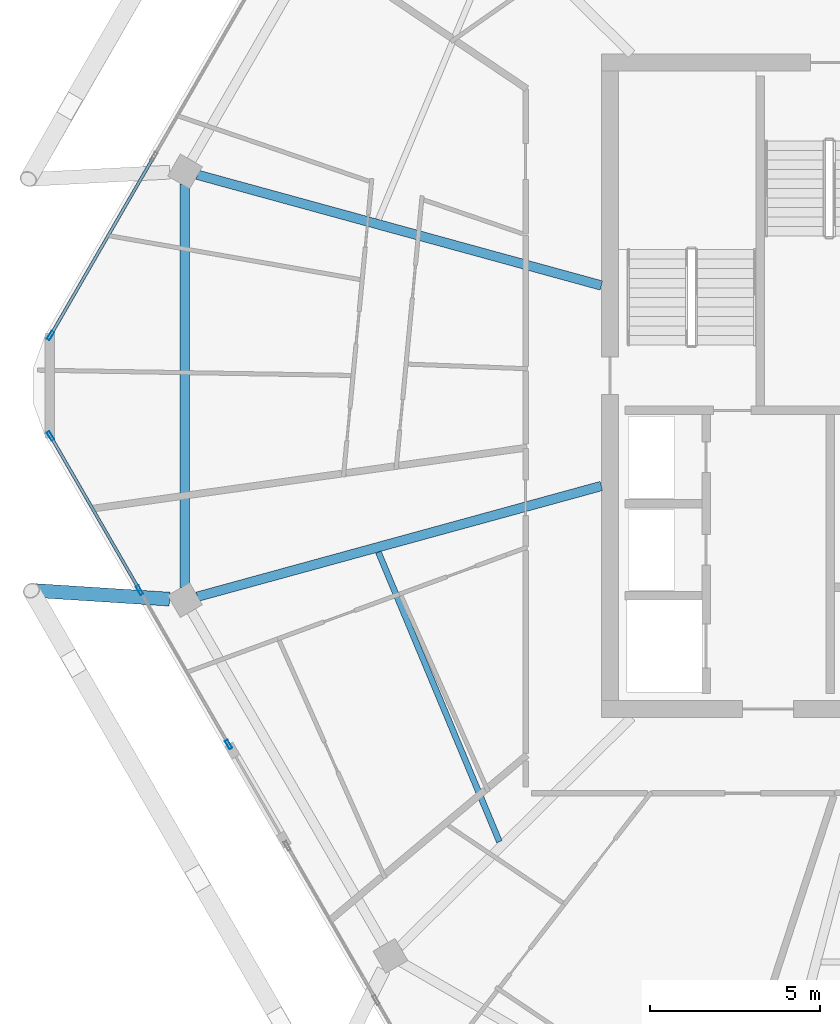
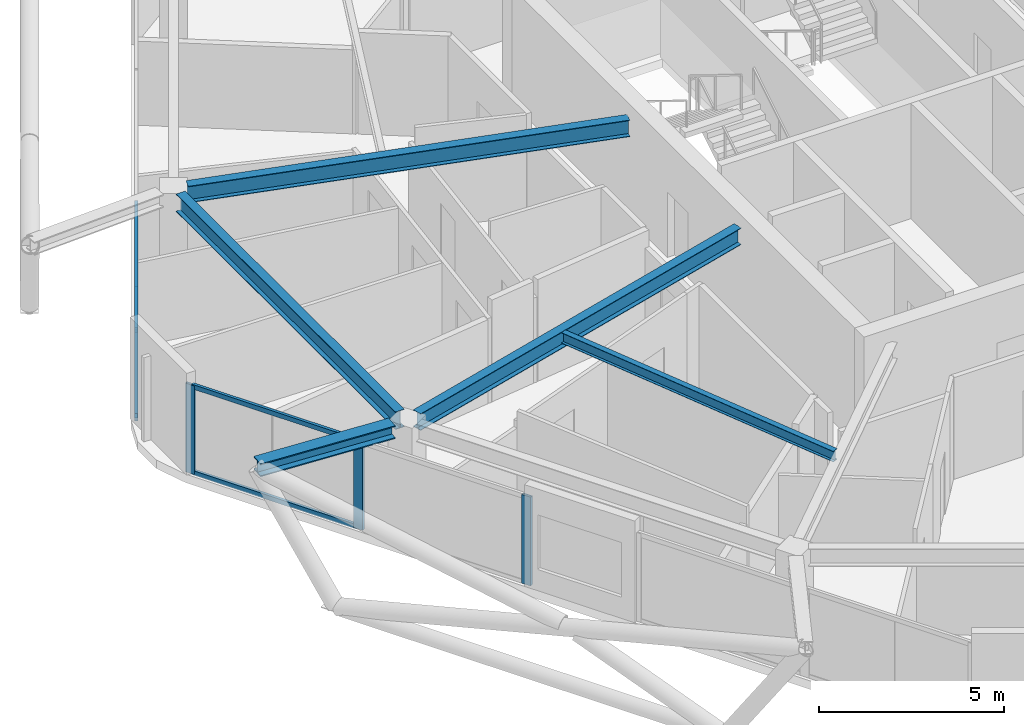
# One storey, part 6 of 23: 8 members, 5 beams, 2 elements without a shape of their own.
"""IFC4 building model written with IfcOpenShell, lengths in metres."""

from ifc_helpers import new_model, si_unit, direction, frame, origin, origin_2d, place, context, subcontext, project, spatial, hollow_rectangle, i_section, extrude, material, material_profile, profile_set, type_object, element, aggregate, save


model = new_model("IFC4")

# Units and contexts
model_context = context("Model", 3, precision=1e-05, world=origin(), true_north=direction((0.0, 1.0)))
body_context = subcontext(model_context, "Body", "Model", "MODEL_VIEW")
ifc_project = project(units=[si_unit("LENGTHUNIT", "METRE"), si_unit("AREAUNIT", "SQUARE_METRE"), si_unit("VOLUMEUNIT", "CUBIC_METRE"), si_unit("PLANEANGLEUNIT", "RADIAN"), si_unit("MASSUNIT", "GRAM", prefix="KILO")], contexts=[model_context])

# Site, building, storey
site_placement = place(None, origin())
site = spatial("IfcSite", under=ifc_project, at=site_placement, CompositionType="ELEMENT")
building_placement = place(site_placement, origin())
building = spatial("IfcBuilding", under=site, at=building_placement, Name="Zuhravey Tower", CompositionType="ELEMENT")
storey_placement = place(building_placement, frame((0.0, 0.0, 353.800048828125)))
storey = spatial("IfcBuildingStorey", under=building, at=storey_placement, Name="L90", CompositionType="ELEMENT", Elevation=353.800048828125)

# Curtain wall, members
ifc_material_1 = material(Name="Thermally broken anodised aluminium", Category="aluminium")
curtain_wall_type = type_object("IfcCurtainWallType", Name="Zone 3-4 High-Rise Curtain Wall CW4", PredefinedType="NOTDEFINED", material=ifc_material_1)
curtain_wall_1_placement = place(storey_placement, origin())
curtain_wall_1 = element("IfcCurtainWall", 1, at=curtain_wall_1_placement, inside=storey, type_object=curtain_wall_type, Name="L90 CW4 CW-L90-F4-2", PredefinedType="NOTDEFINED")
ifc_material_2 = material(Name="Anodised aluminium", Category="aluminium")
ifc_material_profile_1 = material_profile(ifc_material_2, hollow_rectangle(XDim=0.090087890625, YDim=0.284912109375, WallThickness=0.0048828125, at=origin_2d()), Name="ALU-RHS-90x285x5")
ifc_profile_set_1 = profile_set([ifc_material_profile_1], Name="Anodised aluminium")
member_type_1 = type_object("IfcMemberType", Name="Curtain-Wall Mullion 90x180", PredefinedType="MULLION", material=ifc_profile_set_1)
member_1_placement = place(storey_placement, frame((14.291259765625, 21.452392578125, 0.0), z_axis=(0.0, 0.0, 1.0), x_axis=(-0.866024486176, -0.500001589341, 0.0)))
member_1 = element("IfcMember", 2, at=member_1_placement, type_object=member_type_1, Name="CW4 mullion 1", PredefinedType="MULLION", context=body_context, shape_type="SweptSolid", body=[
    extrude(hollow_rectangle(XDim=0.090087890625, YDim=0.284912109375, WallThickness=0.0048828125, at=origin_2d()), origin(), (0.0, 0.0, 1.0), 2.921875),
])
member_2_placement = place(storey_placement, frame((11.672607421875, 25.988037109375, 0.0), z_axis=(0.0, 0.0, 1.0), x_axis=(-0.866024486176, -0.500001589341, 0.0)))
member_2 = element("IfcMember", 3, at=member_2_placement, type_object=member_type_1, Name="CW4 mullion 2", PredefinedType="MULLION", context=body_context, shape_type="SweptSolid", body=[
    extrude(hollow_rectangle(XDim=0.090087890625, YDim=0.284912109375, WallThickness=0.0048828125, at=origin_2d()), origin(), (0.0, 0.0, 1.0), 2.921875),
])
member_3_placement = place(storey_placement, frame((9.05419921875, 30.5234375, 0.0), z_axis=(0.0, 0.0, 1.0), x_axis=(-0.866024486176, -0.500001589341, 0.0)))
member_3 = element("IfcMember", 4, at=member_3_placement, type_object=member_type_1, Name="CW4 mullion 3", PredefinedType="MULLION", context=body_context, shape_type="SweptSolid", body=[
    extrude(hollow_rectangle(XDim=0.090087890625, YDim=0.284912109375, WallThickness=0.0048828125, at=origin_2d()), origin(), (0.0, 0.0, 1.0), 2.921875),
])

# Curtain wall, member
curtain_wall_2_placement = place(storey_placement, origin())
curtain_wall_2 = element("IfcCurtainWall", 5, at=curtain_wall_2_placement, inside=storey, type_object=curtain_wall_type, Name="L90 CW4 CW-L90-F3-1", PredefinedType="NOTDEFINED")
member_4_placement = place(storey_placement, frame((9.05419921875, 33.4765625, 0.0), z_axis=(0.0, 0.0, 1.0), x_axis=(-0.866025511541, 0.49999981336, 0.0)))
member_4 = element("IfcMember", 6, at=member_4_placement, type_object=member_type_1, Name="CW4 mullion 1", PredefinedType="MULLION", context=body_context, shape_type="SweptSolid", body=[
    extrude(hollow_rectangle(XDim=0.090087890625, YDim=0.284912109375, WallThickness=0.0048828125, at=origin_2d()), origin(), (0.0, 0.0, 1.0), 2.921875),
])

# Member
ifc_material_profile_2 = material_profile(ifc_material_2, hollow_rectangle(XDim=0.090087890625, YDim=0.14990234375, WallThickness=0.0048828125, at=origin_2d()), Name="ALU-RHS-90x150x5")
ifc_profile_set_2 = profile_set([ifc_material_profile_2], Name="Anodised aluminium")
member_type_2 = type_object("IfcMemberType", Name="Curtain-Wall Transom 90x150", PredefinedType="USERDEFINED", material=ifc_profile_set_2)
member_5_placement = place(storey_placement, frame((11.650146484375, 26.02685546875, 0.044921875), z_axis=(-0.499970169216, 0.86604262591, 0.0), x_axis=(-0.86604262591, -0.499970169216, 0.0)))
member_5 = element("IfcMember", 7, at=member_5_placement, type_object=member_type_2, Name="CW4 transom 2.1", ObjectType="TRANSOM", PredefinedType="USERDEFINED", context=body_context, shape_type="SweptSolid", body=[
    extrude(hollow_rectangle(XDim=0.090087890625, YDim=0.14990234375, WallThickness=0.0048828125, at=origin_2d()), origin(), (0.0, 0.0, 1.0), 5.147216796875),
])

member_6_placement = place(storey_placement, frame((11.650146484375, 26.02685546875, 2.876953125), z_axis=(-0.499970169216, 0.86604262591, 0.0), x_axis=(-0.86604262591, -0.499970169216, 0.0)))
member_6 = element("IfcMember", 8, at=member_6_placement, type_object=member_type_2, Name="CW4 transom 2.2", ObjectType="TRANSOM", PredefinedType="USERDEFINED", context=body_context, shape_type="SweptSolid", body=[
    extrude(hollow_rectangle(XDim=0.090087890625, YDim=0.14990234375, WallThickness=0.0048828125, at=origin_2d()), origin(), (0.0, 0.0, 1.0), 5.147216796875),
])

aggregate(curtain_wall_1, [member_1, member_2, member_3, member_5, member_6])

member_7_placement = place(storey_placement, frame((9.07666015625, 33.515380859375, 0.044921875), z_axis=(0.499982594807, 0.866035452444, 0.0), x_axis=(-0.866035452444, 0.499982594807, 0.0)))
member_7 = element("IfcMember", 9, at=member_7_placement, type_object=member_type_2, Name="CW4 transom 1.1", ObjectType="TRANSOM", PredefinedType="USERDEFINED", context=body_context, shape_type="SweptSolid", body=[
    extrude(hollow_rectangle(XDim=0.090087890625, YDim=0.14990234375, WallThickness=0.0048828125, at=origin_2d()), origin(), (0.0, 0.0, 1.0), 5.984619140625),
])

member_8_placement = place(storey_placement, frame((9.07666015625, 33.515380859375, 2.876953125), z_axis=(0.499982594807, 0.866035452444, 0.0), x_axis=(-0.866035452444, 0.499982594807, 0.0)))
member_8 = element("IfcMember", 10, at=member_8_placement, type_object=member_type_2, Name="CW4 transom 1.2", ObjectType="TRANSOM", PredefinedType="USERDEFINED", context=body_context, shape_type="SweptSolid", body=[
    extrude(hollow_rectangle(XDim=0.090087890625, YDim=0.14990234375, WallThickness=0.0048828125, at=origin_2d()), origin(), (0.0, 0.0, 1.0), 5.984619140625),
])

aggregate(curtain_wall_2, [member_4, member_7, member_8])

# Beams
ifc_material_3 = material(Name="Steel SM460", Category="steel")
ifc_material_profile_3 = material_profile(ifc_material_3, i_section(OverallWidth=0.406982421875, OverallDepth=0.427978515625, WebThickness=0.02001953125, FlangeThickness=0.034912109375, at=origin_2d()), Name="H-428x407x20x35")
ifc_profile_set_3 = profile_set([ifc_material_profile_3], Name="Steel SM460")
beam_type_1 = type_object("IfcBeamType", Name="Exoskeleton Node Tie Beam H428x407", PredefinedType="BEAM", material=ifc_profile_set_3)
beam_1_placement = place(storey_placement, frame((12.552978515625, 25.7265625, 3.135986328125), z_axis=(-0.997954987894, 0.06392059244, 0.0), x_axis=(-0.06392059244, -0.997954987894, 0.0)))
element("IfcBeam", 11, at=beam_1_placement, inside=storey, type_object=beam_type_1, Name="L90 Exoskeleton Node Tie NT1-07", PredefinedType="BEAM", context=body_context, shape_type="SweptSolid", body=[
    extrude(i_section(OverallWidth=0.406982421875, OverallDepth=0.427978515625, WebThickness=0.02001953125, FlangeThickness=0.034912109375, at=origin_2d()), origin(), (0.0, 0.0, 1.0), 4.06005859375),
])
ifc_material_4 = material(Name="Steel SM355", Category="steel")
ifc_material_profile_4 = material_profile(ifc_material_4, i_section(OverallWidth=0.280029296875, OverallDepth=0.580078125, WebThickness=0.011962890625, FlangeThickness=0.01904296875, at=origin_2d()), Name="H-580x280x12x19")
ifc_profile_set_4 = profile_set([ifc_material_profile_4], Name="Steel SM355")
beam_type_2 = type_object("IfcBeamType", Name="Perimeter Ring Beam H580x280", PredefinedType="BEAM", material=ifc_profile_set_4)
beam_2_placement = place(storey_placement, frame((13.006591796875, 37.92431640625, 3.06005859375), z_axis=(0.0, -1.0, 0.0), x_axis=(1.0, 0.0, 0.0)))
element("IfcBeam", 12, at=beam_2_placement, inside=storey, type_object=beam_type_2, Name="L90 PB4 BM-L90-PB-06", PredefinedType="BEAM", context=body_context, shape_type="SweptSolid", body=[
    extrude(i_section(OverallWidth=0.280029296875, OverallDepth=0.580078125, WebThickness=0.011962890625, FlangeThickness=0.01904296875, at=origin_2d()), origin(), (0.0, 0.0, 1.0), 11.8486328125),
])
ifc_material_profile_5 = material_profile(ifc_material_4, i_section(OverallWidth=0.280029296875, OverallDepth=0.550048828125, WebThickness=0.010986328125, FlangeThickness=0.01806640625, at=origin_2d()), Name="H-550x280x11x18")
ifc_profile_set_5 = profile_set([ifc_material_profile_5], Name="Steel SM355")
beam_type_3 = type_object("IfcBeamType", Name="Radial Primary Girder H550x280", PredefinedType="BEAM", material=ifc_profile_set_5)
for number, where, z_axis, x_axis, name in (
    (13, (25.2470703125, 34.947265625, 3.074951171875), (-0.964428588077, 0.264343523658, 0.0), (-0.264343523658, -0.964428588077, 0.0), "L90 RG4 BM-L90-RAD-06"),
    (14, (25.2470703125, 29.052734375, 3.074951171875), (-0.964428588077, -0.264343523658, 0.0), (0.264343523658, -0.964428588077, 0.0), "L90 RG4 BM-L90-RAD-07"),
):
    element("IfcBeam", number, at=place(storey_placement, frame(where, z_axis=z_axis, x_axis=x_axis)), inside=storey, type_object=beam_type_3, Name=name, PredefinedType="BEAM", context=body_context, shape_type="SweptSolid", body=[
        extrude(i_section(OverallWidth=0.280029296875, OverallDepth=0.550048828125, WebThickness=0.010986328125, FlangeThickness=0.01806640625, at=origin_2d()), origin(), (0.0, 0.0, 1.0), 12.31396484375),
    ])
ifc_material_profile_6 = material_profile(ifc_material_4, i_section(OverallWidth=0.175048828125, OverallDepth=0.35009765625, WebThickness=0.007080078125, FlangeThickness=0.010986328125, at=origin_2d()), Name="H-350x175x7x11")
ifc_profile_set_6 = profile_set([ifc_material_profile_6], Name="Steel SM355")
beam_type_4 = type_object("IfcBeamType", Name="Secondary Floor Joist H350x175", PredefinedType="JOIST", material=ifc_profile_set_6)
beam_3_placement = place(storey_placement, frame((18.692626953125, 27.108154296875, 3.175048828125), z_axis=(0.385657891576, -0.922641853953, 0.0), x_axis=(0.922641853953, 0.385657891576, 0.0)))
element("IfcBeam", 15, at=beam_3_placement, inside=storey, type_object=beam_type_4, Name="L90 SJ3 BM-L90-SJ-07-1", PredefinedType="JOIST", context=body_context, shape_type="SweptSolid", body=[
    extrude(i_section(OverallWidth=0.175048828125, OverallDepth=0.35009765625, WebThickness=0.007080078125, FlangeThickness=0.010986328125, at=origin_2d()), origin(), (0.0, 0.0, 1.0), 9.226806640625),
])

save(model, "model.ifc")
